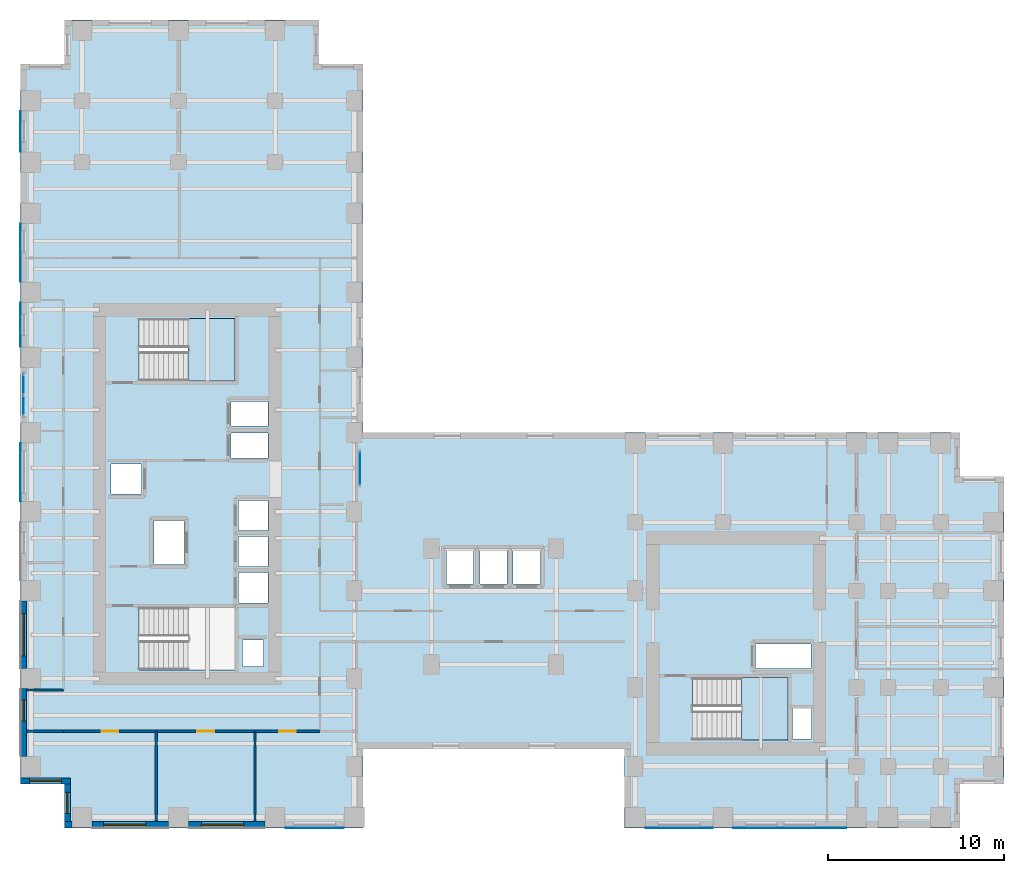
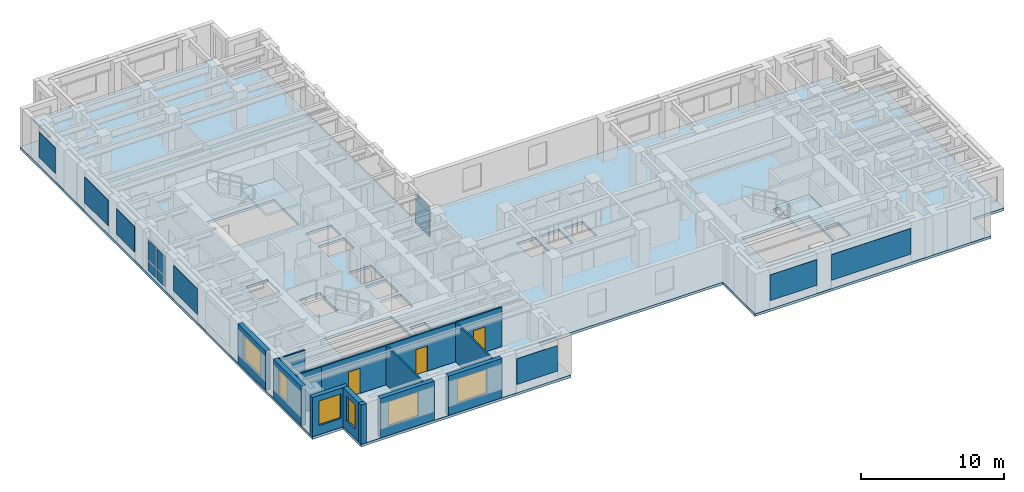
# One storey, part 6 of 14: 14 walls, 10 plates, 6 windows, 3 doors, 3 slabs, 9 openings, 4 elements without a shape of their own.
"""IFC4 building model written with IfcOpenShell, lengths in metres."""

from ifc_helpers import new_model, si_unit, direction, frame, frame_2d, origin, origin_2d, place, context, subcontext, project, spatial, polyline, rectangle, outline, extrude, source, transform, mapped, material, layer, layer_set, type_object, element, fill, aggregate, save


model = new_model("IFC4")

# Units and contexts
model_context = context("Model", 3, precision=1e-05, world=origin(), true_north=direction((0.0, 1.0)))
body_context = subcontext(model_context, "Body", "Model", "MODEL_VIEW")
ifc_project = project(units=[si_unit("LENGTHUNIT", "METRE"), si_unit("AREAUNIT", "SQUARE_METRE"), si_unit("VOLUMEUNIT", "CUBIC_METRE"), si_unit("PLANEANGLEUNIT", "RADIAN"), si_unit("MASSUNIT", "GRAM", prefix="KILO")], contexts=[model_context])

# Site, building, storey
site_placement = place(None, origin())
site = spatial("IfcSite", under=ifc_project, at=site_placement, CompositionType="ELEMENT")
building_placement = place(site_placement, origin())
building = spatial("IfcBuilding", under=site, at=building_placement, Name="Kharzan Plaza Tower", CompositionType="ELEMENT")
storey_placement = place(building_placement, frame((0.0, 0.0, 81.0)))
storey = spatial("IfcBuildingStorey", under=building, at=storey_placement, Name="L21", CompositionType="ELEMENT", Elevation=81.0)

# Slab
ifc_material_1 = material(Name="Concrete C40/50", Category="concrete")
ifc_layer_1 = layer(ifc_material_1, 0.219970703125)
ifc_layer_set_1 = layer_set([ifc_layer_1], Name="Concrete C40/50")
slab_type_1 = type_object("IfcSlabType", Name="SL-FLOOR-220", PredefinedType="FLOOR", material=ifc_layer_set_1)
slab_1_placement = place(storey_placement, frame((0.0, 0.0, -0.219970703125)))
element("IfcSlab", 1, at=slab_1_placement, inside=storey, type_object=slab_type_1, Name="L21 Composite Structural Floor Slab 220 mm", PredefinedType="FLOOR", context=body_context, shape_type="SweptSolid", body=[
    extrude(outline(polyline([(34.39990234375, 22.5), (19.5, 22.5), (19.5, 43.5), (17.0, 43.5), (17.0, 46.0), (2.5, 46.0), (2.5, 43.5), (0.0, 43.5), (0.0, 2.5), (2.5, 2.5), (2.5, 0.0), (19.5, 0.0), (19.5, 4.5), (34.39990234375, 4.5), (34.39990234375, 0.0), (53.5, 0.0), (53.5, 2.5), (56.0, 2.5), (56.0, 20.0), (53.5, 20.0), (53.5, 22.5), (34.39990234375, 22.5)]), holes=[polyline([(12.199951171875, 9.0), (12.199951171875, 12.550048828125), (6.75, 12.550048828125), (6.75, 9.0), (12.199951171875, 9.0)]), polyline([(14.10009765625, 12.800048828125), (14.10009765625, 14.530029296875), (12.39990234375, 14.530029296875), (12.39990234375, 12.800048828125), (14.10009765625, 12.800048828125)]), polyline([(14.10009765625, 14.8701171875), (14.10009765625, 16.60009765625), (12.39990234375, 16.60009765625), (12.39990234375, 14.8701171875), (14.10009765625, 14.8701171875)]), polyline([(9.300048828125, 15.0), (9.300048828125, 17.5), (7.60009765625, 17.5), (7.60009765625, 15.0), (9.300048828125, 15.0)]), polyline([(6.89990234375, 19.010009765625), (6.89990234375, 20.72998046875), (5.14990234375, 20.72998046875), (5.14990234375, 19.010009765625), (6.89990234375, 19.010009765625)]), polyline([(14.10009765625, 21.070068359375), (14.10009765625, 22.489990234375), (12.0, 22.489990234375), (12.0, 21.070068359375), (14.10009765625, 21.070068359375)]), polyline([(14.10009765625, 22.8701171875), (14.10009765625, 24.2900390625), (12.0, 24.2900390625), (12.0, 22.8701171875), (14.10009765625, 22.8701171875)]), polyline([(12.199951171875, 25.449951171875), (12.199951171875, 29.0), (6.75, 29.0), (6.75, 25.449951171875), (12.199951171875, 25.449951171875)]), polyline([(45.050048828125, 5.050048828125), (45.050048828125, 6.800048828125), (43.949951171875, 6.800048828125), (43.949951171875, 5.050048828125), (45.050048828125, 5.050048828125)]), polyline([(43.699951171875, 5.0), (43.699951171875, 8.550048828125), (38.25, 8.550048828125), (38.25, 5.0), (43.699951171875, 5.0)]), polyline([(45.0, 9.070068359375), (45.0, 10.469970703125), (41.85009765625, 10.469970703125), (41.85009765625, 9.070068359375), (45.0, 9.070068359375)]), polyline([(13.85009765625, 9.199951171875), (13.85009765625, 10.699951171875), (12.64990234375, 10.699951171875), (12.64990234375, 9.199951171875), (13.85009765625, 9.199951171875)]), polyline([(25.800048828125, 13.89990234375), (25.800048828125, 15.85009765625), (24.25, 15.85009765625), (24.25, 13.89990234375), (25.800048828125, 13.89990234375)]), polyline([(27.699951171875, 13.89990234375), (27.699951171875, 15.85009765625), (26.14990234375, 15.85009765625), (26.14990234375, 13.89990234375), (27.699951171875, 13.89990234375)]), polyline([(29.60009765625, 13.89990234375), (29.60009765625, 15.85009765625), (28.050048828125, 15.85009765625), (28.050048828125, 13.89990234375), (29.60009765625, 13.89990234375)]), polyline([(14.10009765625, 16.93994140625), (14.10009765625, 18.64990234375), (12.39990234375, 18.64990234375), (12.39990234375, 16.93994140625), (14.10009765625, 16.93994140625)])]), origin(), (0.0, 0.0, 1.0), 0.219970703125),
])

# Stair, slab
stair_type_1 = type_object("IfcStairType", Name="STR-ST-2", PredefinedType="HALF_TURN_STAIR", material=ifc_material_1)
stair_1_placement = place(storey_placement, origin())
stair_1 = element("IfcStair", 2, at=stair_1_placement, inside=storey, type_object=stair_type_1, Name="L21 Protected Exit Stair ST-2", PredefinedType="HALF_TURN_STAIR")
ifc_layer_2 = layer(ifc_material_1, 0.219970703125)
ifc_layer_set_2 = layer_set([ifc_layer_2], Name="Concrete C40/50")
slab_type_2 = type_object("IfcSlabType", Name="SL-LANDING-220", PredefinedType="LANDING", material=ifc_layer_set_2)
slab_2_placement = place(storey_placement, frame((0.0, 0.0, 1.60009765625)))
slab_2 = element("IfcSlab", 3, at=slab_2_placement, type_object=slab_type_2, Name="ST-2 landing 1", PredefinedType="LANDING", context=body_context, shape_type="SweptSolid", body=[
    extrude(outline(polyline([(9.550048828125, 25.449951171875), (12.199951171875, 25.449951171875), (12.199951171875, 29.0), (9.550048828125, 29.0), (9.550048828125, 25.449951171875)])), origin(), (0.0, 0.0, 1.0), 0.199951171875),
])
aggregate(stair_1, [slab_2])

stair_type_2 = type_object("IfcStairType", Name="STR-ST-3", PredefinedType="HALF_TURN_STAIR", material=ifc_material_1)
stair_2_placement = place(storey_placement, origin())
stair_2 = element("IfcStair", 4, at=stair_2_placement, inside=storey, type_object=stair_type_2, Name="L21 Protected Exit Stair ST-3", PredefinedType="HALF_TURN_STAIR")
slab_3_placement = place(storey_placement, frame((0.0, 0.0, 1.60009765625)))
slab_3 = element("IfcSlab", 5, at=slab_3_placement, type_object=slab_type_2, Name="ST-3 landing 1", PredefinedType="LANDING", context=body_context, shape_type="SweptSolid", body=[
    extrude(outline(polyline([(41.050048828125, 5.0), (43.699951171875, 5.0), (43.699951171875, 8.550048828125), (41.050048828125, 8.550048828125), (41.050048828125, 5.0)])), origin(), (0.0, 0.0, 1.0), 0.199951171875),
])
aggregate(stair_2, [slab_3])

# Curtain wall, plate
ifc_material_2 = material(Name="Unitised Bronze-Anodized Aluminium and Low-E Glass", Category="aluminium")
ifc_layer_3 = layer(ifc_material_2, 0.199951171875)
ifc_layer_set_3 = layer_set([ifc_layer_3], Name="Unitised Bronze-Anodized Aluminium and Low-E Glass")
curtain_wall_type_1 = type_object("IfcCurtainWallType", Name="CW-SLOT-3", PredefinedType="NOTDEFINED", material=ifc_layer_set_3)
curtain_wall_1_placement = place(storey_placement, origin())
curtain_wall_1 = element("IfcCurtainWall", 6, at=curtain_wall_1_placement, inside=storey, type_object=curtain_wall_type_1, Name="L21 West Slot Recessed Spine Curtain Wall", PredefinedType="NOTDEFINED")
ifc_material_3 = material(Name="Dark Solar-Control Double Glazing", Category="glass")
ifc_layer_4 = layer(ifc_material_3, 0.031982421875)
ifc_layer_set_4 = layer_set([ifc_layer_4], Name="Dark Solar-Control Double Glazing")
plate_type_1 = type_object("IfcPlateType", Name="PLT-CW-GLASS", PredefinedType="CURTAIN_PANEL", material=ifc_layer_set_4)
shared_shape_1 = source(origin(), body_context, "Body", "SweptSolid", [
    extrude(rectangle(XDim=1.929931640625, YDim=0.031982421875, at=origin_2d()), origin(), (0.0, 0.0, 1.0), 2.5400390625),
])
plate_1_placement = place(storey_placement, frame((19.320068359375, 20.47509765625, 0.080078125), z_axis=(0.0, 0.0, 1.0), x_axis=(0.0, 1.0, 0.0)))
plate_1 = element("IfcPlate", 7, at=plate_1_placement, type_object=plate_type_1, Name="L21 Curtain-Wall Glazed Panel 00", PredefinedType="CURTAIN_PANEL", context=body_context, shape_type="MappedRepresentation", body=[
    mapped(shared_shape_1, transform((0.0, 0.0, 0.0), x_axis=(1.0, 0.0, 0.0), y_axis=(0.0, 1.0, 0.0), z_axis=(0.0, 0.0, 1.0))),
])
aggregate(curtain_wall_1, [plate_1])

# Curtain wall, plates
ifc_layer_5 = layer(ifc_material_2, 0.199951171875)
ifc_layer_set_5 = layer_set([ifc_layer_5], Name="Unitised Bronze-Anodized Aluminium and Low-E Glass")
curtain_wall_type_2 = type_object("IfcCurtainWallType", Name="CW-SKY-4", PredefinedType="NOTDEFINED", material=ifc_layer_set_5)
curtain_wall_2_placement = place(storey_placement, origin())
curtain_wall_2 = element("IfcCurtainWall", 8, at=curtain_wall_2_placement, inside=storey, type_object=curtain_wall_type_2, Name="L21 Sky-Lobby and Transfer Zone Feature Curtain Wall", PredefinedType="NOTDEFINED")
shared_shape_2 = source(origin(), body_context, "Body", "SweptSolid", [
    extrude(rectangle(XDim=1.080078125, YDim=0.031982421875, at=origin_2d()), origin(), (0.0, 0.0, 1.0), 2.590087890625),
])
plate_2_placement = place(storey_placement, frame((0.179931640625, 24.050048828125, 0.080078125), z_axis=(0.0, 0.0, 1.0), x_axis=(0.0, 1.0, 0.0)))
plate_2 = element("IfcPlate", 9, at=plate_2_placement, type_object=plate_type_1, Name="L21 Curtain-Wall Glazed Panel 00", PredefinedType="CURTAIN_PANEL", context=body_context, shape_type="MappedRepresentation", body=[
    mapped(shared_shape_2, transform((0.0, 0.0, 0.0), x_axis=(1.0, 0.0, 0.0), y_axis=(0.0, 1.0, 0.0), z_axis=(0.0, 0.0, 1.0))),
])
plate_3_placement = place(storey_placement, frame((0.179931640625, 25.25, 0.080078125), z_axis=(0.0, 0.0, 1.0), x_axis=(0.0, 1.0, 0.0)))
plate_3 = element("IfcPlate", 10, at=plate_3_placement, type_object=plate_type_1, Name="L21 Curtain-Wall Glazed Panel 01", PredefinedType="CURTAIN_PANEL", context=body_context, shape_type="MappedRepresentation", body=[
    mapped(shared_shape_2, transform((0.0, 0.0, 0.0), x_axis=(1.0, 0.0, 0.0), y_axis=(0.0, 1.0, 0.0), z_axis=(0.0, 0.0, 1.0))),
])
aggregate(curtain_wall_2, [plate_2, plate_3])

# Plates
ifc_material_4 = material(Name="Perforated Bronze-Anodized Aluminium", Category="aluminium")
ifc_layer_6 = layer(ifc_material_4, 0.030029296875)
ifc_layer_set_6 = layer_set([ifc_layer_6], Name="Perforated Bronze-Anodized Aluminium")
plate_type_2 = type_object("IfcPlateType", Name="PLT-MASH-SCREEN", PredefinedType="SHEET", material=ifc_layer_set_6)
shared_shape_3 = source(origin(), body_context, "Body", "SweptSolid", [
    extrude(rectangle(XDim=2.31396484375, YDim=0.030029296875, at=origin_2d()), origin(), (0.0, 0.0, 1.0), 2.199951171875),
])
plate_4_placement = place(storey_placement, frame((-0.012939453125, 39.64990234375, 0.72998046875), z_axis=(0.0, 0.0, 1.0), x_axis=(0.0, -1.0, 0.0)))
element("IfcPlate", 11, at=plate_4_placement, inside=storey, type_object=plate_type_2, Name="L21 Perforated Mashrabiya Solar Screen", PredefinedType="SHEET", context=body_context, shape_type="MappedRepresentation", body=[
    mapped(shared_shape_3, transform((0.0, 0.0, 0.0), x_axis=(1.0, 0.0, 0.0), y_axis=(0.0, 1.0, 0.0), z_axis=(0.0, 0.0, 1.0))),
])
shared_shape_4 = source(origin(), body_context, "Body", "SweptSolid", [
    extrude(rectangle(XDim=3.31396484375, YDim=0.030029296875, at=origin_2d()), origin(), (0.0, 0.0, 1.0), 2.199951171875),
])
for number, where, z_axis, x_axis, name in (
    (12, (-0.012939453125, 32.75, 0.72998046875), (0.0, 0.0, 1.0), (0.0, -1.0, 0.0), "L21 Perforated Mashrabiya Solar Screen"),
    (13, (-0.012939453125, 20.25, 0.72998046875), (0.0, 0.0, 1.0), (0.0, -1.0, 0.0), "L21 Perforated Mashrabiya Solar Screen"),
    (14, (16.75, -0.012939453125, 0.72998046875), (0.0, 0.0, 1.0), (1.0, 0.0, 0.0), "L21 Perforated Mashrabiya Solar Screen"),
):
    element("IfcPlate", number, at=place(storey_placement, frame(where, z_axis=z_axis, x_axis=x_axis)), inside=storey, type_object=plate_type_2, Name=name, PredefinedType="SHEET", context=body_context, shape_type="MappedRepresentation", body=[
        mapped(shared_shape_4, transform((0.0, 0.0, 0.0), x_axis=(1.0, 0.0, 0.0), y_axis=(0.0, 1.0, 0.0), z_axis=(0.0, 0.0, 1.0))),
    ])
shared_shape_5 = source(origin(), body_context, "Body", "SweptSolid", [
    extrude(rectangle(XDim=2.513916015625, YDim=0.030029296875, at=origin_2d()), origin(), (0.0, 0.0, 1.0), 2.199951171875),
])
plate_5_placement = place(storey_placement, frame((-0.012939453125, 28.64990234375, 0.72998046875), z_axis=(0.0, 0.0, 1.0), x_axis=(0.0, -1.0, 0.0)))
element("IfcPlate", 15, at=plate_5_placement, inside=storey, type_object=plate_type_2, Name="L21 Perforated Mashrabiya Solar Screen", PredefinedType="SHEET", context=body_context, shape_type="MappedRepresentation", body=[
    mapped(shared_shape_5, transform((0.0, 0.0, 0.0), x_axis=(1.0, 0.0, 0.0), y_axis=(0.0, 1.0, 0.0), z_axis=(0.0, 0.0, 1.0))),
])
shared_shape_6 = source(origin(), body_context, "Body", "SweptSolid", [
    extrude(rectangle(XDim=3.81396484375, YDim=0.030029296875, at=origin_2d()), origin(), (0.0, 0.0, 1.0), 2.199951171875),
])
plate_6_placement = place(storey_placement, frame((37.5, -0.012939453125, 0.72998046875), z_axis=(0.0, 0.0, 1.0), x_axis=(1.0, 0.0, 0.0)))
element("IfcPlate", 16, at=plate_6_placement, inside=storey, type_object=plate_type_2, Name="L21 Perforated Mashrabiya Solar Screen", PredefinedType="SHEET", context=body_context, shape_type="MappedRepresentation", body=[
    mapped(shared_shape_6, transform((0.0, 0.0, 0.0), x_axis=(1.0, 0.0, 0.0), y_axis=(0.0, 1.0, 0.0), z_axis=(0.0, 0.0, 1.0))),
])
shared_shape_7 = source(origin(), body_context, "Body", "SweptSolid", [
    extrude(rectangle(XDim=6.4140625, YDim=0.030029296875, at=origin_2d()), origin(), (0.0, 0.0, 1.0), 2.199951171875),
])
plate_7_placement = place(storey_placement, frame((43.800048828125, -0.012939453125, 0.72998046875), z_axis=(0.0, 0.0, 1.0), x_axis=(1.0, 0.0, 0.0)))
element("IfcPlate", 17, at=plate_7_placement, inside=storey, type_object=plate_type_2, Name="L21 Perforated Mashrabiya Solar Screen", PredefinedType="SHEET", context=body_context, shape_type="MappedRepresentation", body=[
    mapped(shared_shape_7, transform((0.0, 0.0, 0.0), x_axis=(1.0, 0.0, 0.0), y_axis=(0.0, 1.0, 0.0), z_axis=(0.0, 0.0, 1.0))),
])

# Wall, opening, window
ifc_layer_7 = layer(ifc_material_1, 0.35009765625)
ifc_layer_set_7 = layer_set([ifc_layer_7], Name="Concrete C40/50")
wall_type_1 = type_object("IfcWallType", Name="WL-EXT-MAS-Z2", PredefinedType="SOLIDWALL", material=ifc_layer_set_7)
wall_1_placement = place(storey_placement, frame((0.175048828125, 12.927001953125, 0.0), z_axis=(0.0, 0.0, 1.0), x_axis=(0.0, -1.0, 0.0)))
wall_1 = element("IfcWall", 18, at=wall_1_placement, inside=storey, type_object=wall_type_1, Name="L21 Masonry-Frame Exterior Wall 18", PredefinedType="SOLIDWALL", context=body_context, shape_type="SweptSolid", body=[
    extrude(rectangle(XDim=3.85400390625, YDim=0.35009765625, at=frame_2d((1.927001953125, 0.0))), origin(), (0.0, 0.0, 1.0), 3.364990234375),
])
opening_1_placement = place(wall_1_placement, frame((0.72705078125, 0.0, 0.780029296875)))
opening_1 = element("IfcOpeningElement", 19, at=opening_1_placement, cuts=wall_1, Name="Opening W2", PredefinedType="OPENING", context=body_context, shape_type="SweptSolid", body=[
    extrude(rectangle(XDim=2.39990234375, YDim=2.10009765625, at=frame_2d((1.199951171875, 1.050048828125))), frame((0.0, 0.18505859375, 0.0), z_axis=(0.0, -1.0, 0.0), x_axis=(1.0, 0.0, 0.0)), (0.0, 0.0, 1.0), 0.3701171875),
])
ifc_material_5 = material(Name="Low-E Double Glazing", Category="glass")
window_type_1 = type_object("IfcWindowType", Name="WN-REC-2400x2100", PartitioningType="SINGLE_PANEL", PredefinedType="WINDOW", material=ifc_material_5)
shared_shape_8 = source(origin(), body_context, "Body", "SweptSolid", [
    extrude(rectangle(XDim=2.39990234375, YDim=2.10009765625, at=frame_2d((1.199951171875, 1.050048828125))), frame((0.0, 0.030029296875, 0.0), z_axis=(0.0, -1.0, 0.0), x_axis=(1.0, 0.0, 0.0)), (0.0, 0.0, 1.0), 0.06005859375),
])
window_1_placement = place(opening_1_placement, origin())
window_1 = element("IfcWindow", 20, at=window_1_placement, inside=storey, type_object=window_type_1, Name="L21 Wide Recessed Solar-Control Window 18-1", OverallHeight=2.10009765625, OverallWidth=2.39990234375, PartitioningType="SINGLE_PANEL", PredefinedType="WINDOW", context=body_context, shape_type="MappedRepresentation", body=[
    mapped(shared_shape_8, transform((0.0, 0.0, 0.0), x_axis=(1.0, 0.0, 0.0), y_axis=(0.0, 1.0, 0.0), z_axis=(0.0, 0.0, 1.0))),
])
fill(opening_1, window_1)

wall_2_placement = place(storey_placement, frame((0.175048828125, 7.927001953125, 0.0), z_axis=(0.0, 0.0, 1.0), x_axis=(0.0, -1.0, 0.0)))
wall_2 = element("IfcWall", 21, at=wall_2_placement, inside=storey, type_object=wall_type_1, Name="L21 Masonry-Frame Exterior Wall 19", PredefinedType="SOLIDWALL", context=body_context, shape_type="SweptSolid", body=[
    extrude(rectangle(XDim=3.85400390625, YDim=0.35009765625, at=frame_2d((1.927001953125, 0.0))), origin(), (0.0, 0.0, 1.0), 3.364990234375),
])
opening_2_placement = place(wall_2_placement, frame((0.652099609375, 0.0, 0.780029296875)))
opening_2 = element("IfcOpeningElement", 22, at=opening_2_placement, cuts=wall_2, Name="Opening W3", PredefinedType="OPENING", context=body_context, shape_type="SweptSolid", body=[
    extrude(rectangle(XDim=1.199951171875, YDim=2.10009765625, at=frame_2d((0.60009765625, 1.050048828125))), frame((0.0, 0.18505859375, 0.0), z_axis=(0.0, -1.0, 0.0), x_axis=(1.0, 0.0, 0.0)), (0.0, 0.0, 1.0), 0.3701171875),
])
window_type_2 = type_object("IfcWindowType", Name="WN-REC-1200x2100", PartitioningType="SINGLE_PANEL", PredefinedType="WINDOW", material=ifc_material_5)
shared_shape_9 = source(origin(), body_context, "Body", "SweptSolid", [
    extrude(rectangle(XDim=1.199951171875, YDim=2.10009765625, at=frame_2d((0.60009765625, 1.050048828125))), frame((0.0, 0.030029296875, 0.0), z_axis=(0.0, -1.0, 0.0), x_axis=(1.0, 0.0, 0.0)), (0.0, 0.0, 1.0), 0.06005859375),
])
window_2_placement = place(opening_2_placement, origin())
window_2 = element("IfcWindow", 23, at=window_2_placement, inside=storey, type_object=window_type_2, Name="L21 Recessed Solar-Control Window 19-1", OverallHeight=2.10009765625, OverallWidth=1.199951171875, PartitioningType="SINGLE_PANEL", PredefinedType="WINDOW", context=body_context, shape_type="MappedRepresentation", body=[
    mapped(shared_shape_9, transform((0.0, 0.0, 0.0), x_axis=(1.0, 0.0, 0.0), y_axis=(0.0, 1.0, 0.0), z_axis=(0.0, 0.0, 1.0))),
])
fill(opening_2, window_2)

wall_3_placement = place(storey_placement, frame((0.0, 2.675048828125, 0.0), z_axis=(0.0, 0.0, 1.0), x_axis=(1.0, 0.0, 0.0)))
wall_3 = element("IfcWall", 24, at=wall_3_placement, inside=storey, type_object=wall_type_1, Name="L21 Masonry-Frame Exterior Wall 20", PredefinedType="SOLIDWALL", context=body_context, shape_type="SweptSolid", body=[
    extrude(rectangle(XDim=2.85009765625, YDim=0.35009765625, at=frame_2d((1.425048828125, 0.0))), origin(), (0.0, 0.0, 1.0), 3.364990234375),
])
opening_3_placement = place(wall_3_placement, frame((0.52490234375, 0.0, 0.780029296875)))
opening_3 = element("IfcOpeningElement", 25, at=opening_3_placement, cuts=wall_3, Name="Opening W1", PredefinedType="OPENING", context=body_context, shape_type="SweptSolid", body=[
    extrude(rectangle(XDim=1.800048828125, YDim=2.10009765625, at=frame_2d((0.89990234375, 1.050048828125))), frame((0.0, 0.18505859375, 0.0), z_axis=(0.0, -1.0, 0.0), x_axis=(1.0, 0.0, 0.0)), (0.0, 0.0, 1.0), 0.3701171875),
])
window_type_3 = type_object("IfcWindowType", Name="WN-REC-1800x2100", PartitioningType="SINGLE_PANEL", PredefinedType="WINDOW", material=ifc_material_5)
shared_shape_10 = source(origin(), body_context, "Body", "SweptSolid", [
    extrude(rectangle(XDim=1.800048828125, YDim=2.10009765625, at=frame_2d((0.89990234375, 1.050048828125))), frame((0.0, 0.030029296875, 0.0), z_axis=(0.0, -1.0, 0.0), x_axis=(1.0, 0.0, 0.0)), (0.0, 0.0, 1.0), 0.06005859375),
])
window_3_placement = place(opening_3_placement, origin())
window_3 = element("IfcWindow", 26, at=window_3_placement, inside=storey, type_object=window_type_3, Name="L21 Recessed Solar-Control Window 20-1", OverallHeight=2.10009765625, OverallWidth=1.800048828125, PartitioningType="SINGLE_PANEL", PredefinedType="WINDOW", context=body_context, shape_type="MappedRepresentation", body=[
    mapped(shared_shape_10, transform((0.0, 0.0, 0.0), x_axis=(1.0, 0.0, 0.0), y_axis=(0.0, 1.0, 0.0), z_axis=(0.0, 0.0, 1.0))),
])
fill(opening_3, window_3)

wall_4_placement = place(storey_placement, frame((2.675048828125, 2.501953125, 0.0), z_axis=(0.0, 0.0, 1.0), x_axis=(0.0, -1.0, 0.0)))
wall_4 = element("IfcWall", 27, at=wall_4_placement, inside=storey, type_object=wall_type_1, Name="L21 Masonry-Frame Exterior Wall 21", PredefinedType="SOLIDWALL", context=body_context, shape_type="SweptSolid", body=[
    extrude(rectangle(XDim=2.154052734375, YDim=0.35009765625, at=frame_2d((1.0771484375, 0.0))), origin(), (0.0, 0.0, 1.0), 3.364990234375),
])
opening_4_placement = place(wall_4_placement, frame((0.47705078125, 0.0, 0.780029296875)))
opening_4 = element("IfcOpeningElement", 28, at=opening_4_placement, cuts=wall_4, Name="Opening W3", PredefinedType="OPENING", context=body_context, shape_type="SweptSolid", body=[
    extrude(rectangle(XDim=1.199951171875, YDim=2.10009765625, at=frame_2d((0.60009765625, 1.050048828125))), frame((0.0, 0.18505859375, 0.0), z_axis=(0.0, -1.0, 0.0), x_axis=(1.0, 0.0, 0.0)), (0.0, 0.0, 1.0), 0.3701171875),
])
window_4_placement = place(opening_4_placement, origin())
window_4 = element("IfcWindow", 29, at=window_4_placement, inside=storey, type_object=window_type_2, Name="L21 Recessed Solar-Control Window 21-1", OverallHeight=2.10009765625, OverallWidth=1.199951171875, PartitioningType="SINGLE_PANEL", PredefinedType="WINDOW", context=body_context, shape_type="MappedRepresentation", body=[
    mapped(shared_shape_9, transform((0.0, 0.0, 0.0), x_axis=(1.0, 0.0, 0.0), y_axis=(0.0, 1.0, 0.0), z_axis=(0.0, 0.0, 1.0))),
])
fill(opening_4, window_4)

wall_5_placement = place(storey_placement, frame((4.072998046875, 0.175048828125, 0.0), z_axis=(0.0, 0.0, 1.0), x_axis=(1.0, 0.0, 0.0)))
wall_5 = element("IfcWall", 30, at=wall_5_placement, inside=storey, type_object=wall_type_1, Name="L21 Masonry-Frame Exterior Wall 23", PredefinedType="SOLIDWALL", context=body_context, shape_type="SweptSolid", body=[
    extrude(rectangle(XDim=4.35400390625, YDim=0.35009765625, at=frame_2d((2.177001953125, 0.0))), origin(), (0.0, 0.0, 1.0), 3.364990234375),
])
opening_5_placement = place(wall_5_placement, frame((0.66357421875, 0.0, 0.780029296875)))
opening_5 = element("IfcOpeningElement", 31, at=opening_5_placement, cuts=wall_5, Name="Opening W2", PredefinedType="OPENING", context=body_context, shape_type="SweptSolid", body=[
    extrude(rectangle(XDim=2.39990234375, YDim=2.10009765625, at=frame_2d((1.199951171875, 1.050048828125))), frame((0.0, 0.18505859375, 0.0), z_axis=(0.0, -1.0, 0.0), x_axis=(1.0, 0.0, 0.0)), (0.0, 0.0, 1.0), 0.3701171875),
])
window_5_placement = place(opening_5_placement, origin())
window_5 = element("IfcWindow", 32, at=window_5_placement, inside=storey, type_object=window_type_1, Name="L21 Wide Recessed Solar-Control Window 23-1", OverallHeight=2.10009765625, OverallWidth=2.39990234375, PartitioningType="SINGLE_PANEL", PredefinedType="WINDOW", context=body_context, shape_type="MappedRepresentation", body=[
    mapped(shared_shape_8, transform((0.0, 0.0, 0.0), x_axis=(1.0, 0.0, 0.0), y_axis=(0.0, 1.0, 0.0), z_axis=(0.0, 0.0, 1.0))),
])
fill(opening_5, window_5)

wall_6_placement = place(storey_placement, frame((9.572998046875, 0.175048828125, 0.0), z_axis=(0.0, 0.0, 1.0), x_axis=(1.0, 0.0, 0.0)))
wall_6 = element("IfcWall", 33, at=wall_6_placement, inside=storey, type_object=wall_type_1, Name="L21 Masonry-Frame Exterior Wall 24", PredefinedType="SOLIDWALL", context=body_context, shape_type="SweptSolid", body=[
    extrude(rectangle(XDim=4.35400390625, YDim=0.35009765625, at=frame_2d((2.177001953125, 0.0))), origin(), (0.0, 0.0, 1.0), 3.364990234375),
])
opening_6_placement = place(wall_6_placement, frame((0.72705078125, 0.0, 0.780029296875)))
opening_6 = element("IfcOpeningElement", 34, at=opening_6_placement, cuts=wall_6, Name="Opening W2", PredefinedType="OPENING", context=body_context, shape_type="SweptSolid", body=[
    extrude(rectangle(XDim=2.39990234375, YDim=2.10009765625, at=frame_2d((1.199951171875, 1.050048828125))), frame((0.0, 0.18505859375, 0.0), z_axis=(0.0, -1.0, 0.0), x_axis=(1.0, 0.0, 0.0)), (0.0, 0.0, 1.0), 0.3701171875),
])
window_6_placement = place(opening_6_placement, origin())
window_6 = element("IfcWindow", 35, at=window_6_placement, inside=storey, type_object=window_type_1, Name="L21 Wide Recessed Solar-Control Window 24-1", OverallHeight=2.10009765625, OverallWidth=2.39990234375, PartitioningType="SINGLE_PANEL", PredefinedType="WINDOW", context=body_context, shape_type="MappedRepresentation", body=[
    mapped(shared_shape_8, transform((0.0, 0.0, 0.0), x_axis=(1.0, 0.0, 0.0), y_axis=(0.0, 1.0, 0.0), z_axis=(0.0, 0.0, 1.0))),
])
fill(opening_6, window_6)

# Wall, opening, door
ifc_material_6 = material(Name="Fire-Rated Gypsum Board Partition", Category="gypsum")
ifc_layer_8 = layer(ifc_material_6, 0.125)
ifc_layer_set_8 = layer_set([ifc_layer_8], Name="Fire-Rated Gypsum Board Partition")
wall_type_2 = type_object("IfcWallType", Name="WL-INT-PART-125", PredefinedType="PARTITIONING", material=ifc_layer_set_8)
wall_7_placement = place(storey_placement, frame((2.449951171875, 5.5, 0.0), z_axis=(0.0, 0.0, 1.0), x_axis=(1.0, 0.0, 0.0)))
wall_7 = element("IfcWall", 36, at=wall_7_placement, inside=storey, type_object=wall_type_2, Name="L21 Interior Partition SH-SS-1", PredefinedType="PARTITIONING", context=body_context, shape_type="SweptSolid", body=[
    extrude(rectangle(XDim=5.280029296875, YDim=0.125, at=frame_2d((2.64013671875, 0.0))), origin(), (0.0, 0.0, 1.0), 3.364990234375),
])
opening_7_placement = place(wall_7_placement, frame((2.1650390625, 0.0, 0.0)))
opening_7 = element("IfcOpeningElement", 37, at=opening_7_placement, cuts=wall_7, Name="Opening OD1", PredefinedType="OPENING", context=body_context, shape_type="SweptSolid", body=[
    extrude(rectangle(XDim=0.949951171875, YDim=2.14990234375, at=frame_2d((0.47509765625, 1.074951171875))), frame((0.0, 0.072509765625, 0.0), z_axis=(0.0, -1.0, 0.0), x_axis=(1.0, 0.0, 0.0)), (0.0, 0.0, 1.0), 0.14501953125),
])
ifc_material_7 = material(Name="Acoustic Solid-Core Stained Oak", Category="timber")
door_type = type_object("IfcDoorType", Name="DR-OFF-SINGLE", OperationType="NOTDEFINED", PredefinedType="DOOR", material=ifc_material_7)
shared_shape_11 = source(origin(), body_context, "Body", "SweptSolid", [
    extrude(rectangle(XDim=0.949951171875, YDim=2.14990234375, at=frame_2d((0.47509765625, 1.074951171875))), frame((0.0, 0.02490234375, 0.0), z_axis=(0.0, -1.0, 0.0), x_axis=(1.0, 0.0, 0.0)), (0.0, 0.0, 1.0), 0.050048828125),
])
door_1_placement = place(opening_7_placement, origin())
door_1 = element("IfcDoor", 38, at=door_1_placement, inside=storey, type_object=door_type, Name="L21 Executive Boardroom Door", OperationType="SINGLE_SWING_LEFT", OverallHeight=2.14990234375, OverallWidth=0.949951171875, PredefinedType="DOOR", context=body_context, shape_type="MappedRepresentation", body=[
    mapped(shared_shape_11, transform((0.0, 0.0, 0.0), x_axis=(1.0, 0.0, 0.0), y_axis=(0.0, 1.0, 0.0), z_axis=(0.0, 0.0, 1.0))),
])
fill(opening_7, door_1)

wall_8_placement = place(storey_placement, frame((7.72998046875, 5.5, 0.0), z_axis=(0.0, 0.0, 1.0), x_axis=(1.0, 0.0, 0.0)))
wall_8 = element("IfcWall", 39, at=wall_8_placement, inside=storey, type_object=wall_type_2, Name="L21 Interior Partition SH-SS-2", PredefinedType="PARTITIONING", context=body_context, shape_type="SweptSolid", body=[
    extrude(rectangle(XDim=5.626953125, YDim=0.125, at=frame_2d((2.8134765625, 0.0))), origin(), (0.0, 0.0, 1.0), 3.364990234375),
])
opening_8_placement = place(wall_8_placement, frame((2.33837890625, 0.0, 0.0)))
opening_8 = element("IfcOpeningElement", 40, at=opening_8_placement, cuts=wall_8, Name="Opening OD1", PredefinedType="OPENING", context=body_context, shape_type="SweptSolid", body=[
    extrude(rectangle(XDim=0.949951171875, YDim=2.14990234375, at=frame_2d((0.47509765625, 1.074951171875))), frame((0.0, 0.072509765625, 0.0), z_axis=(0.0, -1.0, 0.0), x_axis=(1.0, 0.0, 0.0)), (0.0, 0.0, 1.0), 0.14501953125),
])
door_2_placement = place(opening_8_placement, origin())
door_2 = element("IfcDoor", 41, at=door_2_placement, inside=storey, type_object=door_type, Name="L21 Staff Tea Pantry Door", OperationType="SINGLE_SWING_RIGHT", OverallHeight=2.14990234375, OverallWidth=0.949951171875, PredefinedType="DOOR", context=body_context, shape_type="MappedRepresentation", body=[
    mapped(shared_shape_11, transform((0.0, 0.0, 0.0), x_axis=(1.0, 0.0, 0.0), y_axis=(0.0, 1.0, 0.0), z_axis=(0.0, 0.0, 1.0))),
])
fill(opening_8, door_2)

wall_9_placement = place(storey_placement, frame((13.35693359375, 5.5, 0.0), z_axis=(0.0, 0.0, 1.0), x_axis=(1.0, 0.0, 0.0)))
wall_9 = element("IfcWall", 42, at=wall_9_placement, inside=storey, type_object=wall_type_2, Name="L21 Interior Partition SH-SS-3", PredefinedType="PARTITIONING", context=body_context, shape_type="SweptSolid", body=[
    extrude(rectangle(XDim=3.693115234375, YDim=0.125, at=frame_2d((1.8466796875, 0.0))), origin(), (0.0, 0.0, 1.0), 3.364990234375),
])
opening_9_placement = place(wall_9_placement, frame((1.37158203125, 0.0, 0.0)))
opening_9 = element("IfcOpeningElement", 43, at=opening_9_placement, cuts=wall_9, Name="Opening OD1", PredefinedType="OPENING", context=body_context, shape_type="SweptSolid", body=[
    extrude(rectangle(XDim=0.949951171875, YDim=2.14990234375, at=frame_2d((0.47509765625, 1.074951171875))), frame((0.0, 0.072509765625, 0.0), z_axis=(0.0, -1.0, 0.0), x_axis=(1.0, 0.0, 0.0)), (0.0, 0.0, 1.0), 0.14501953125),
])
door_3_placement = place(opening_9_placement, origin())
door_3 = element("IfcDoor", 44, at=door_3_placement, inside=storey, type_object=door_type, Name="L21 Design Collaboration Office Door", OperationType="SINGLE_SWING_LEFT", OverallHeight=2.14990234375, OverallWidth=0.949951171875, PredefinedType="DOOR", context=body_context, shape_type="MappedRepresentation", body=[
    mapped(shared_shape_11, transform((0.0, 0.0, 0.0), x_axis=(1.0, 0.0, 0.0), y_axis=(0.0, 1.0, 0.0), z_axis=(0.0, 0.0, 1.0))),
])
fill(opening_9, door_3)

# Walls
shared_shape_12 = source(origin(), body_context, "Body", "SweptSolid", [
    extrude(rectangle(XDim=2.097900390625, YDim=0.125, at=frame_2d((1.048828125, 0.0))), origin(), (0.0, 0.0, 1.0), 3.364990234375),
])
for number, where, z_axis, x_axis, name in (
    (45, (0.35205078125, 7.85009765625, 0.0), (0.0, 0.0, 1.0), (1.0, 0.0, 0.0), "L21 Interior Partition SH-RWS0"),
    (46, (0.35205078125, 5.5, 0.0), (0.0, 0.0, 1.0), (1.0, 0.0, 0.0), "L21 Interior Partition SH-SS-EXT"),
):
    element("IfcWall", number, at=place(storey_placement, frame(where, z_axis=z_axis, x_axis=x_axis)), inside=storey, type_object=wall_type_2, Name=name, PredefinedType="PARTITIONING", context=body_context, shape_type="MappedRepresentation", body=[
        mapped(shared_shape_12, transform((0.0, 0.0, 0.0), x_axis=(1.0, 0.0, 0.0), y_axis=(0.0, 1.0, 0.0), z_axis=(0.0, 0.0, 1.0))),
    ])
shared_shape_13 = source(origin(), body_context, "Body", "SweptSolid", [
    extrude(rectangle(XDim=0.427001953125, YDim=0.35009765625, at=frame_2d((0.21337890625, 0.0))), origin(), (0.0, 0.0, 1.0), 3.364990234375),
])
wall_10_placement = place(storey_placement, frame((2.5, 0.175048828125, 0.0), z_axis=(0.0, 0.0, 1.0), x_axis=(1.0, 0.0, 0.0)))
element("IfcWall", 47, at=wall_10_placement, inside=storey, type_object=wall_type_1, Name="L21 Masonry-Frame Exterior Wall 22", PredefinedType="SOLIDWALL", context=body_context, shape_type="MappedRepresentation", body=[
    mapped(shared_shape_13, transform((0.0, 0.0, 0.0), x_axis=(1.0, 0.0, 0.0), y_axis=(0.0, 1.0, 0.0), z_axis=(0.0, 0.0, 1.0))),
])
shared_shape_14 = source(origin(), body_context, "Body", "SweptSolid", [
    extrude(rectangle(XDim=5.14794921875, YDim=0.125, at=frame_2d((2.573974609375, 0.0))), origin(), (0.0, 0.0, 1.0), 3.364990234375),
])
for number, where, z_axis, x_axis, name in (
    (48, (7.72998046875, 0.35205078125, 0.0), (0.0, 0.0, 1.0), (0.0, 1.0, 0.0), "L21 Interior Partition SH-SV-1"),
    (49, (13.35693359375, 0.35205078125, 0.0), (0.0, 0.0, 1.0), (0.0, 1.0, 0.0), "L21 Interior Partition SH-SV-2"),
):
    element("IfcWall", number, at=place(storey_placement, frame(where, z_axis=z_axis, x_axis=x_axis)), inside=storey, type_object=wall_type_2, Name=name, PredefinedType="PARTITIONING", context=body_context, shape_type="MappedRepresentation", body=[
        mapped(shared_shape_14, transform((0.0, 0.0, 0.0), x_axis=(1.0, 0.0, 0.0), y_axis=(0.0, 1.0, 0.0), z_axis=(0.0, 0.0, 1.0))),
    ])

save(model, "model.ifc")
